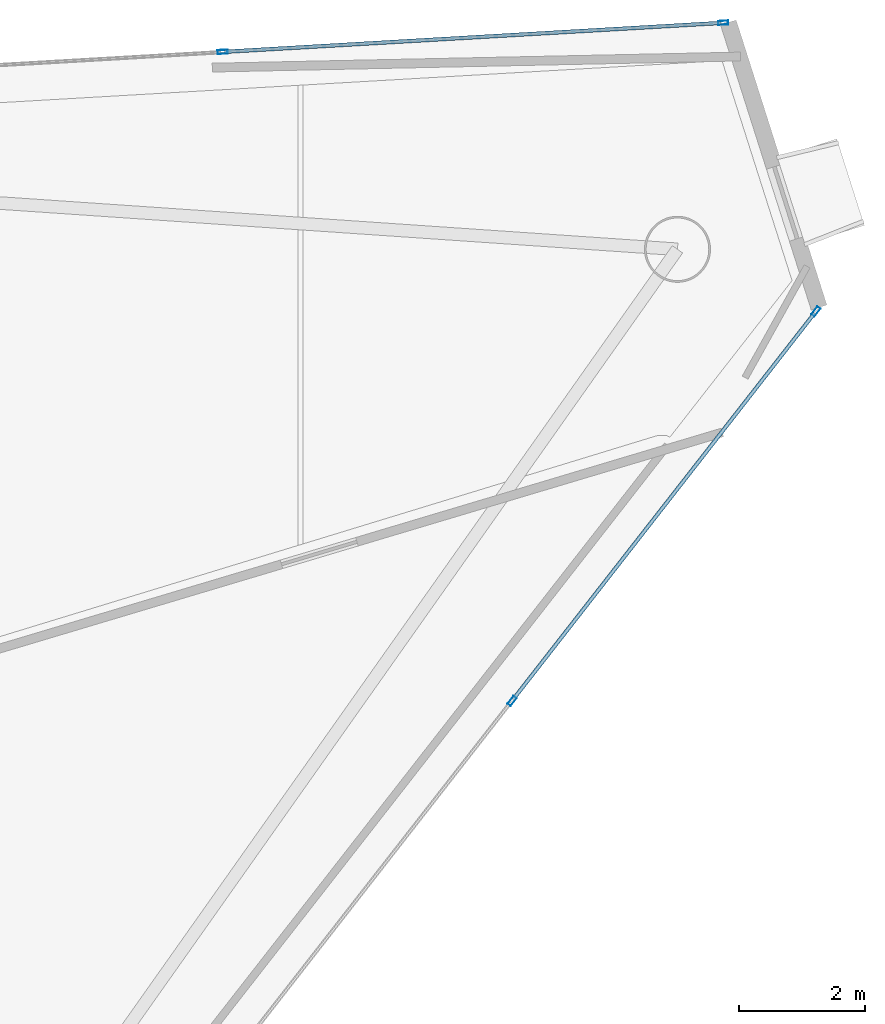
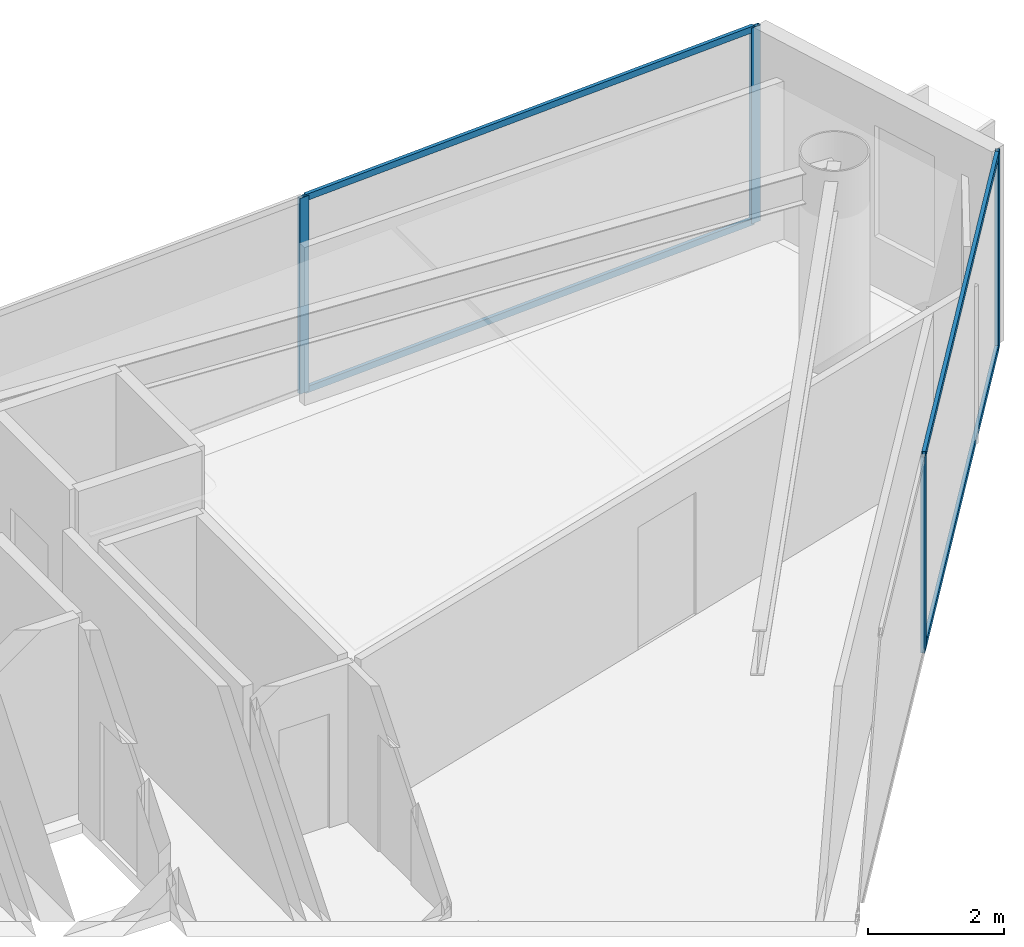
# One storey, part 12 of 18: 8 members, 2 elements without a shape of their own.
"""IFC4 building model written with IfcOpenShell, lengths in metres."""

from ifc_helpers import new_model, si_unit, direction, frame, origin, origin_2d, place, context, subcontext, project, spatial, hollow_rectangle, extrude, material, layer, layer_set, material_profile, profile_set, type_object, element, aggregate, save


model = new_model("IFC4")

# Units and contexts
model_context = context("Model", 3, precision=1e-05, world=origin(), true_north=direction((0.0, 1.0)))
body_context = subcontext(model_context, "Body", "Model", "MODEL_VIEW")
ifc_project = project(units=[si_unit("LENGTHUNIT", "METRE"), si_unit("AREAUNIT", "SQUARE_METRE"), si_unit("VOLUMEUNIT", "CUBIC_METRE"), si_unit("PLANEANGLEUNIT", "RADIAN"), si_unit("MASSUNIT", "GRAM", prefix="KILO")], contexts=[model_context])

# Site, building, storey
site_placement = place(None, origin())
site = spatial("IfcSite", under=ifc_project, at=site_placement, CompositionType="ELEMENT")
building_placement = place(site_placement, origin())
building = spatial("IfcBuilding", under=site, at=building_placement, Name="Qianvela Tower", CompositionType="ELEMENT")
storey_placement = place(building_placement, frame((0.0, 0.0, 264.89990234375)))
storey = spatial("IfcBuildingStorey", under=building, at=storey_placement, Name="L68", CompositionType="ELEMENT", Elevation=264.89990234375)

# Curtain wall, members
ifc_material_1 = material(Name="Anodised Architectural Aluminium and Low-E Glass", Category="aluminium")
ifc_layer = layer(ifc_material_1, 0.159912109375)
ifc_layer_set = layer_set([ifc_layer], Name="Anodised Architectural Aluminium and Low-E Glass")
curtain_wall_type = type_object("IfcCurtainWallType", Name="CW-COLIV-Z56", PredefinedType="USERDEFINED", material=ifc_layer_set)
curtain_wall_1_placement = place(storey_placement, origin())
curtain_wall_1 = element("IfcCurtainWall", 1, at=curtain_wall_1_placement, inside=storey, type_object=curtain_wall_type, Name="L68 CW-COLIV-Z56 Curtain Wall 02A", ObjectType="CURTAIN_WALL_SYSTEM", PredefinedType="USERDEFINED")
ifc_material_2 = material(Name="Anodised Architectural Aluminium 6063-T6", Category="aluminium")
ifc_material_profile_1 = material_profile(ifc_material_2, hollow_rectangle(XDim=0.06494140625, YDim=0.159912109375, WallThickness=0.0048828125, at=origin_2d()), Name="ALU-MULL-65x160")
ifc_profile_set_1 = profile_set([ifc_material_profile_1], Name="Anodised Architectural Aluminium 6063-T6")
member_type_1 = type_object("IfcMemberType", Name="CW-COLIV-Z56-MULL", PredefinedType="MULLION", material=ifc_profile_set_1)
member_1_placement = place(storey_placement, frame((56.057861328125, 38.202392578125, 0.0), z_axis=(0.0, 0.0, 1.0), x_axis=(0.058036085906, -0.998314485887, 0.0)))
member_1 = element("IfcMember", 2, at=member_1_placement, type_object=member_type_1, Name="CW-5 mullion 1", PredefinedType="MULLION", context=body_context, shape_type="SweptSolid", body=[
    extrude(hollow_rectangle(XDim=0.06494140625, YDim=0.159912109375, WallThickness=0.0048828125, at=origin_2d()), origin(), (0.0, 0.0, 1.0), 3.52001953125),
])
member_2_placement = place(storey_placement, frame((48.108642578125, 37.740234375, 0.0), z_axis=(0.0, 0.0, 1.0), x_axis=(0.058036085906, -0.998314485887, 0.0)))
member_2 = element("IfcMember", 3, at=member_2_placement, type_object=member_type_1, Name="CW-5 mullion 2", PredefinedType="MULLION", context=body_context, shape_type="SweptSolid", body=[
    extrude(hollow_rectangle(XDim=0.06494140625, YDim=0.159912109375, WallThickness=0.0048828125, at=origin_2d()), origin(), (0.0, 0.0, 1.0), 3.52001953125),
])

curtain_wall_2_placement = place(storey_placement, origin())
curtain_wall_2 = element("IfcCurtainWall", 4, at=curtain_wall_2_placement, inside=storey, type_object=curtain_wall_type, Name="L68 CW-COLIV-Z56 Curtain Wall 06C", ObjectType="CURTAIN_WALL_SYSTEM", PredefinedType="USERDEFINED")
member_3_placement = place(storey_placement, frame((52.7041015625, 27.432861328125, 0.0), z_axis=(0.0, 0.0, 1.0), x_axis=(-0.7883660952, 0.615206388084, 0.0)))
member_3 = element("IfcMember", 5, at=member_3_placement, type_object=member_type_1, Name="CW-5 mullion 2", PredefinedType="MULLION", context=body_context, shape_type="SweptSolid", body=[
    extrude(hollow_rectangle(XDim=0.06494140625, YDim=0.159912109375, WallThickness=0.0048828125, at=origin_2d()), origin(), (0.0, 0.0, 1.0), 3.52001953125),
])
member_4_placement = place(storey_placement, frame((57.52978515625, 33.616943359375, 0.0), z_axis=(0.0, 0.0, 1.0), x_axis=(-0.7883660952, 0.615206388084, 0.0)))
member_4 = element("IfcMember", 6, at=member_4_placement, type_object=member_type_1, Name="CW-5 mullion 3", PredefinedType="MULLION", context=body_context, shape_type="SweptSolid", body=[
    extrude(hollow_rectangle(XDim=0.06494140625, YDim=0.159912109375, WallThickness=0.0048828125, at=origin_2d()), origin(), (0.0, 0.0, 1.0), 3.52001953125),
])

# Member
ifc_material_3 = material(Name="Anodised Architectural Aluminium 6063-T6", Category="aluminium")
ifc_material_profile_2 = material_profile(ifc_material_3, hollow_rectangle(XDim=0.06005859375, YDim=0.114990234375, WallThickness=0.00390625, at=origin_2d()), Name="ALU-TRAN-60x115")
ifc_profile_set_2 = profile_set([ifc_material_profile_2], Name="Anodised Architectural Aluminium 6063-T6")
member_type_2 = type_object("IfcMemberType", Name="CW-COLIV-Z56-TRAN", PredefinedType="USERDEFINED", material=ifc_profile_set_2)
member_5_placement = place(storey_placement, frame((56.025390625, 38.200439453125, 0.030029296875), z_axis=(-0.998315169488, -0.058024325668, 0.0), x_axis=(0.058024325668, -0.998315169488, 0.0)))
member_5 = element("IfcMember", 7, at=member_5_placement, type_object=member_type_2, Name="CW-5 transom 1.1", ObjectType="TRANSOM", PredefinedType="USERDEFINED", context=body_context, shape_type="SweptSolid", body=[
    extrude(hollow_rectangle(XDim=0.06005859375, YDim=0.114990234375, WallThickness=0.00390625, at=origin_2d()), origin(), (0.0, 0.0, 1.0), 7.897705078125),
])

member_6_placement = place(storey_placement, frame((56.025390625, 38.200439453125, 3.489990234375), z_axis=(-0.998315169488, -0.058024325668, 0.0), x_axis=(0.058024325668, -0.998315169488, 0.0)))
member_6 = element("IfcMember", 8, at=member_6_placement, type_object=member_type_2, Name="CW-5 transom 1.2", ObjectType="TRANSOM", PredefinedType="USERDEFINED", context=body_context, shape_type="SweptSolid", body=[
    extrude(hollow_rectangle(XDim=0.06005859375, YDim=0.114990234375, WallThickness=0.00390625, at=origin_2d()), origin(), (0.0, 0.0, 1.0), 7.897705078125),
])

aggregate(curtain_wall_1, [member_1, member_2, member_5, member_6])

member_7_placement = place(storey_placement, frame((52.723876953125, 27.45849609375, 0.030029296875), z_axis=(0.615215198514, 0.788359219847, 0.0), x_axis=(-0.788359219847, 0.615215198514, 0.0)))
member_7 = element("IfcMember", 9, at=member_7_placement, type_object=member_type_2, Name="CW-5 transom 2.1", ObjectType="TRANSOM", PredefinedType="USERDEFINED", context=body_context, shape_type="SweptSolid", body=[
    extrude(hollow_rectangle(XDim=0.06005859375, YDim=0.114990234375, WallThickness=0.00390625, at=origin_2d()), origin(), (0.0, 0.0, 1.0), 7.779296875),
])

member_8_placement = place(storey_placement, frame((52.723876953125, 27.45849609375, 3.489990234375), z_axis=(0.615215198514, 0.788359219847, 0.0), x_axis=(-0.788359219847, 0.615215198514, 0.0)))
member_8 = element("IfcMember", 10, at=member_8_placement, type_object=member_type_2, Name="CW-5 transom 2.2", ObjectType="TRANSOM", PredefinedType="USERDEFINED", context=body_context, shape_type="SweptSolid", body=[
    extrude(hollow_rectangle(XDim=0.06005859375, YDim=0.114990234375, WallThickness=0.00390625, at=origin_2d()), origin(), (0.0, 0.0, 1.0), 7.779296875),
])

aggregate(curtain_wall_2, [member_3, member_4, member_7, member_8])

save(model, "model.ifc")
